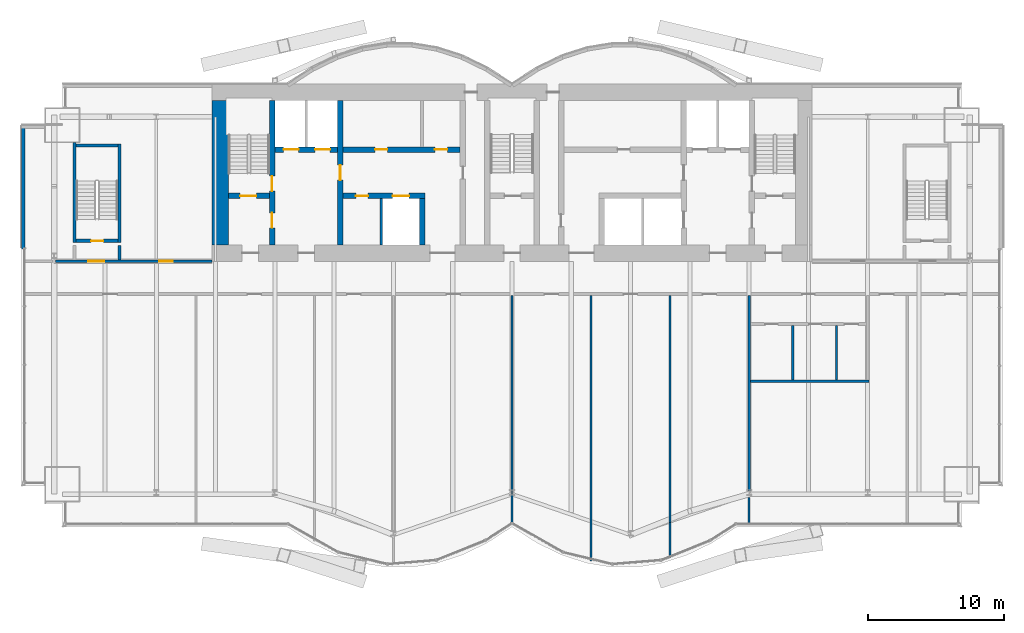
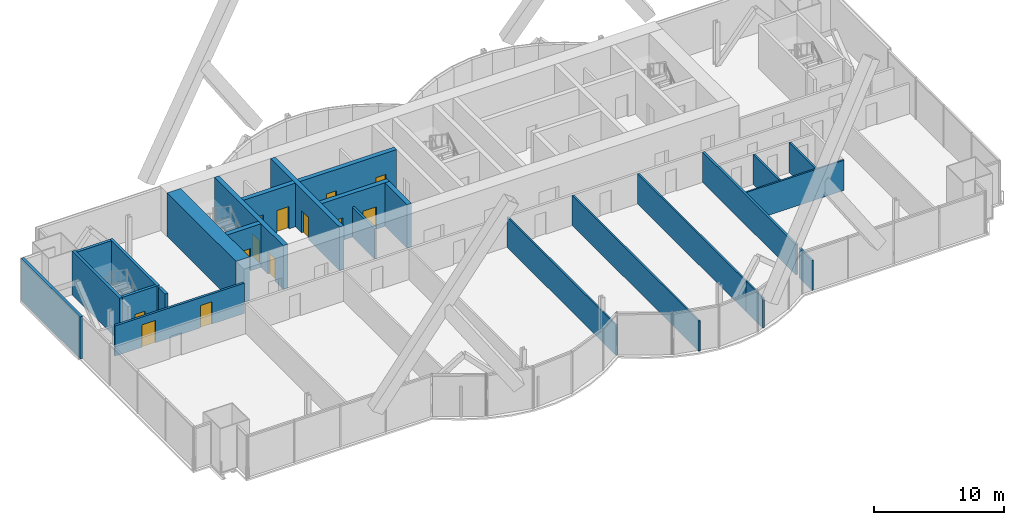
# One storey, part 16 of 22: 24 walls, 13 doors, 13 openings.
"""IFC4 building model written with IfcOpenShell, lengths in metres."""

import ifcopenshell
import ifcopenshell.guid

model = None  # the IFC model being written
_history = None  # IfcOwnerHistory: only IFC2X3 demands one
_inside = {}  # id of a spatial element -> (the spatial element, [elements in it])
_under = {}  # id of a project, library or spatial element -> (it, [spatial elements below it])
_declared = {}  # id of a project -> (the project, [libraries it declares])
_typed = {}  # id of a type object -> (the type object, [elements of that type])
_made_of = {}  # id of a material, layer set ... -> (it, [elements and type objects made of it])


def new_model(schema):
    """Start an empty IFC model of exactly this schema.

    Asked for "IFC4X3", IfcOpenShell would pick the latest addendum, in which some entities
    have other attributes; the version numbers below select the first issue.
    IFC2X3 requires an IfcOwnerHistory on every rooted entity: one is made here for all.
    """
    global model, _history
    if schema == "IFC4X3":
        model = ifcopenshell.file(schema_version=(4, 3, 0, 0))
    else:
        model = ifcopenshell.file(schema=schema)
    _inside.clear()
    _under.clear()
    _declared.clear()
    _typed.clear()
    _made_of.clear()
    _history = None
    if model.schema == "IFC2X3":
        org = make("IfcOrganization", Name="unknown")
        user = make(
            "IfcPersonAndOrganization",
            ThePerson=make("IfcPerson", FamilyName="unknown"),
            TheOrganization=org,
        )
        app = make(
            "IfcApplication",
            ApplicationDeveloper=org,
            Version="unknown",
            ApplicationFullName="unknown",
            ApplicationIdentifier="unknown",
        )
        _history = make(
            "IfcOwnerHistory",
            OwningUser=user,
            OwningApplication=app,
            ChangeAction="ADDED",
            CreationDate=0,
        )
    return model


def make(cls, **values):
    """One entity of the class cls with the attributes given. An attribute that is None is left unset."""
    return model.create_entity(
        cls, **{name: value for name, value in values.items() if value is not None}
    )


def rooted(cls, **values):
    """An entity with a GlobalId (a new one), such as an element, a storey or a relation."""
    return make(cls, GlobalId=ifcopenshell.guid.new(), OwnerHistory=_history, **values)


def si_unit(unit_type, name, prefix=None):
    """IfcSIUnit, for example si_unit("LENGTHUNIT", "METRE", prefix="MILLI")."""
    return make("IfcSIUnit", UnitType=unit_type, Prefix=prefix, Name=name)


def assignment(units):
    """IfcUnitAssignment: the units of a project."""
    return None if units is None else make("IfcUnitAssignment", Units=units)


def point(xyz):
    """IfcCartesianPoint."""
    return None if xyz is None else make("IfcCartesianPoint", Coordinates=xyz)


def direction(xyz):
    """IfcDirection."""
    return None if xyz is None else make("IfcDirection", DirectionRatios=xyz)


def frame(location, z_axis=None, x_axis=None):
    """IfcAxis2Placement3D, a coordinate frame: its origin and axes. An axis left out is left unset."""
    return make(
        "IfcAxis2Placement3D",
        Location=point(location),
        Axis=direction(z_axis),
        RefDirection=direction(x_axis),
    )


def frame_2d(location, x_axis=None):
    """IfcAxis2Placement2D, a coordinate frame in the plane: its origin and x axis."""
    return make(
        "IfcAxis2Placement2D", Location=point(location), RefDirection=direction(x_axis)
    )


def origin():
    """The frame at (0, 0, 0) with its axes left unset."""
    return frame((0.0, 0.0, 0.0))


def place(relative_to, where):
    """IfcLocalPlacement: puts the frame where relative to a parent placement (None: the world)."""
    return make(
        "IfcLocalPlacement", PlacementRelTo=relative_to, RelativePlacement=where
    )


def context(
    kind, dimensions, precision=None, world=None, true_north=None, identifier=None
):
    """IfcGeometricRepresentationContext, for example the 3D "Model" context."""
    return make(
        "IfcGeometricRepresentationContext",
        ContextIdentifier=identifier,
        ContextType=kind,
        CoordinateSpaceDimension=dimensions,
        Precision=precision,
        WorldCoordinateSystem=world,
        TrueNorth=true_north,
    )


def subcontext(parent, identifier, kind, view, scale=None):
    """IfcGeometricRepresentationSubContext, for example "Body" below "Model"."""
    return make(
        "IfcGeometricRepresentationSubContext",
        ContextIdentifier=identifier,
        ContextType=kind,
        ParentContext=parent,
        TargetScale=scale,
        TargetView=view,
    )


def project(units=None, contexts=None):
    """IfcProject with its units and contexts."""
    return rooted(
        "IfcProject",
        Name="project",
        RepresentationContexts=contexts,
        UnitsInContext=assignment(units),
    )


def spatial(cls, under=None, at=None, **own):
    """A site, building, storey or space (cls), placed at a placement, below another one or the project."""
    s = rooted(cls, ObjectPlacement=at, **own)
    if under is not None:
        _under.setdefault(under.id(), (under, []))[1].append(s)
    return s


def profile(cls, at=None, kind="AREA", **sizes):
    """A parametric profile (cls). Its sizes go by their IFC names, for example OverallWidth=200.0."""
    return make(cls, ProfileType=kind, Position=at, **sizes)


def rectangle(**sizes):
    """IfcRectangleProfileDef."""
    return profile("IfcRectangleProfileDef", **sizes)


def extrude(swept, where, along, depth):
    """IfcExtrudedAreaSolid: the profile swept, set in the frame where, extruded along a direction by depth."""
    return make(
        "IfcExtrudedAreaSolid",
        SweptArea=swept,
        Position=where,
        ExtrudedDirection=direction(along),
        Depth=depth,
    )


def shape(context_of_items, identifier, shape_type, items):
    """IfcShapeRepresentation: the items that make up one representation, for example the "Body"."""
    return make(
        "IfcShapeRepresentation",
        ContextOfItems=context_of_items,
        RepresentationIdentifier=identifier,
        RepresentationType=shape_type,
        Items=items,
    )


def material(Name=None, Category=None):
    """IfcMaterial."""
    return make("IfcMaterial", Name=Name, Category=Category)


def layer(
    of_material, thickness, ventilated=None, Name=None, Category=None, Priority=None
):
    """IfcMaterialLayer: one layer of a wall or slab, of a material (None: an air gap)."""
    return make(
        "IfcMaterialLayer",
        Material=of_material,
        LayerThickness=thickness,
        IsVentilated=ventilated,
        Name=Name,
        Category=Category,
        Priority=Priority,
    )


def layer_set(layers, Name=None):
    """IfcMaterialLayerSet."""
    return make("IfcMaterialLayerSet", MaterialLayers=layers, LayerSetName=Name)


def layer_usage(for_layer_set, set_direction, sense, offset, extent=None):
    """IfcMaterialLayerSetUsage: how a layer set lies in its element."""
    return make(
        "IfcMaterialLayerSetUsage",
        ForLayerSet=for_layer_set,
        LayerSetDirection=set_direction,
        DirectionSense=sense,
        OffsetFromReferenceLine=offset,
        ReferenceExtent=extent,
    )


def made_of(thing, what):
    """Note that an element or type object is made of a material, layer set ...; save() writes the relation."""
    if what is not None:
        _made_of.setdefault(what.id(), (what, []))[1].append(thing)
    return thing


def type_object(cls, material=None, **own):
    """A type object (cls), such as IfcWallType, which elements share."""
    return made_of(rooted(cls, **own), material)


def element(
    cls,
    number,
    at=None,
    inside=None,
    cuts=None,
    type_object=None,
    material=None,
    context=None,
    identifier="Body",
    shape_type=None,
    held_by="IfcProductDefinitionShape",
    body=None,
    shapes=None,
    **own,
):
    """One element of the class cls, such as IfcWall. Its Tag is "e" and its number.

    at: its placement. inside: the storey or other place that contains it. cuts: it is an
    opening in that element (IfcRelVoidsElement). A single representation is given by context,
    identifier, shape_type and body (its items); several are given by shapes. held_by: the class
    of the entity that holds the representations. save() writes the other relations.
    """
    e = rooted(cls, Tag="e%d" % number, ObjectPlacement=at, **own)
    if body is not None:
        shapes = [shape(context, identifier, shape_type, body)]
    if shapes is not None:
        e.Representation = make(held_by, Representations=shapes)
    if inside is not None:
        _inside.setdefault(inside.id(), (inside, []))[1].append(e)
    if cuts is not None:
        rooted(
            "IfcRelVoidsElement", RelatingBuildingElement=cuts, RelatedOpeningElement=e
        )
    if type_object is not None:
        _typed.setdefault(type_object.id(), (type_object, []))[1].append(e)
    return made_of(e, material)


def fill(opening, filler):
    """IfcRelFillsElement: the door or window that sits in an opening."""
    return rooted(
        "IfcRelFillsElement",
        RelatingOpeningElement=opening,
        RelatedBuildingElement=filler,
    )


def aggregate(whole, parts):
    """IfcRelAggregates: a whole, such as a stair, and the parts it consists of."""
    return rooted("IfcRelAggregates", RelatingObject=whole, RelatedObjects=parts)


def save(model, path):
    """Write the relations noted so far, then the file.

    IfcRelAggregates (storeys below a building ...), IfcRelContainedInSpatialStructure (elements
    in a storey), IfcRelDefinesByType, IfcRelAssociatesMaterial and IfcRelDeclares: one each for
    every whole, place, type object, material and project.
    """
    for whole, parts in _under.values():
        aggregate(whole, parts)
    for where, things in _inside.values():
        rooted(
            "IfcRelContainedInSpatialStructure",
            RelatedElements=things,
            RelatingStructure=where,
        )
    for kind, things in _typed.values():
        rooted("IfcRelDefinesByType", RelatedObjects=things, RelatingType=kind)
    for what, things in _made_of.values():
        rooted("IfcRelAssociatesMaterial", RelatedObjects=things, RelatingMaterial=what)
    for by, libraries in _declared.values():
        rooted("IfcRelDeclares", RelatingContext=by, RelatedDefinitions=libraries)
    model.write(path)


model = new_model("IFC4")

# Units and contexts
model_context = context("Model", 3, precision=1e-05, world=origin(), true_north=direction((0.0, 1.0)))
body_context = subcontext(model_context, "Body", "Model", "MODEL_VIEW")
ifc_project = project(units=[si_unit("LENGTHUNIT", "METRE"), si_unit("AREAUNIT", "SQUARE_METRE"), si_unit("VOLUMEUNIT", "CUBIC_METRE"), si_unit("PLANEANGLEUNIT", "RADIAN"), si_unit("MASSUNIT", "GRAM", prefix="KILO")], contexts=[model_context])

# Site, building, storey
site_placement = place(None, origin())
site = spatial("IfcSite", under=ifc_project, at=site_placement, CompositionType="ELEMENT")
building_placement = place(site_placement, origin())
building = spatial("IfcBuilding", under=site, at=building_placement, Name="Bicima Exchange Tower", CompositionType="ELEMENT")
storey_placement = place(building_placement, frame((0.0, 0.0, 203.199951171875)))
storey = spatial("IfcBuildingStorey", under=building, at=storey_placement, Name="L45", CompositionType="ELEMENT", Elevation=203.199951171875)

# Wall
ifc_material_1 = material(Name="Gypsum board partition")
ifc_layer_1 = layer(ifc_material_1, 0.199951171875)
ifc_layer_set_1 = layer_set([ifc_layer_1], Name="Gypsum board partition")
wall_type_1 = type_object("IfcWallType", Name="Fire-rated gypsum partition 200 EI120", PredefinedType="PARTITIONING", material=ifc_layer_set_1)
wall_1_placement = place(storey_placement, frame((-9.60009765625, -11.800048828125, 0.0), z_axis=(0.0, 0.0, 1.0), x_axis=(0.0, 1.0, 0.0)))
element("IfcWall", 1, at=wall_1_placement, inside=storey, type_object=wall_type_1, Name="partition wall 11", PredefinedType="PARTITIONING", context=body_context, shape_type="SweptSolid", body=[
    extrude(rectangle(XDim=3.400146484375, YDim=0.199951171875, at=frame_2d((1.7001953125, 0.0))), origin(), (0.0, 0.0, 1.0), 2.84033203125),
])

# Wall, openings, doors
ifc_layer_2 = layer(ifc_material_1, 0.199951171875)
ifc_layer_set_2 = layer_set([ifc_layer_2], Name="Gypsum board partition")
wall_type_2 = type_object("IfcWallType", Name="Fire-rated gypsum partition 200 EI60", PredefinedType="PARTITIONING", material=ifc_layer_set_2)
wall_2_placement = place(storey_placement, frame((-33.47998046875, -13.0, 0.0), z_axis=(0.0, 0.0, 1.0), x_axis=(1.0, 0.0, 0.0)))
wall_2 = element("IfcWall", 2, at=wall_2_placement, inside=storey, type_object=wall_type_2, Name="partition wall 5", PredefinedType="PARTITIONING", context=body_context, shape_type="SweptSolid", body=[
    extrude(rectangle(XDim=11.47998046875, YDim=0.199951171875, at=frame_2d((5.739990234375, 0.0))), origin(), (0.0, 0.0, 1.0), 2.84033203125),
])
opening_1_placement = place(wall_2_placement, frame((2.3798828125, 0.0, 0.0)))
opening_1 = element("IfcOpeningElement", 3, at=opening_1_placement, cuts=wall_2, Name="Opening L45-001", PredefinedType="OPENING", context=body_context, shape_type="SweptSolid", body=[
    extrude(rectangle(XDim=1.199951171875, YDim=2.10009765625, at=frame_2d((0.60009765625, 1.050048828125))), frame((0.0, 0.11181640625, 0.0), z_axis=(0.0, -1.0, 0.0), x_axis=(1.0, 0.0, 0.0)), (0.0, 0.0, 1.0), 0.223876953125),
])
opening_2_placement = place(wall_2_placement, frame((7.580078125, 0.0, 0.0)))
opening_2 = element("IfcOpeningElement", 4, at=opening_2_placement, cuts=wall_2, Name="Opening L45-005", PredefinedType="OPENING", context=body_context, shape_type="SweptSolid", body=[
    extrude(rectangle(XDim=1.0, YDim=2.10009765625, at=frame_2d((0.5, 1.050048828125))), frame((0.0, 0.11181640625, 0.0), z_axis=(0.0, -1.0, 0.0), x_axis=(1.0, 0.0, 0.0)), (0.0, 0.0, 1.0), 0.223876953125),
])
ifc_material_2 = material(Name="Steel fire door leaf", Category="steel")
door_type_1 = type_object("IfcDoorType", Name="Door 1000 swing FD30S", OperationType="SINGLE_SWING_LEFT", PredefinedType="DOOR", material=ifc_material_2)
door_1_placement = place(opening_2_placement, origin())
door_1 = element("IfcDoor", 5, at=door_1_placement, inside=storey, type_object=door_type_1, Name="Door", OperationType="SINGLE_SWING_LEFT", OverallHeight=2.10009765625, OverallWidth=1.0, PredefinedType="DOOR", context=body_context, shape_type="SweptSolid", body=[
    extrude(rectangle(XDim=1.0, YDim=2.10009765625, at=frame_2d((0.5, 1.050048828125))), frame((0.0, 0.02490234375, 0.0), z_axis=(0.0, -1.0, 0.0), x_axis=(1.0, 0.0, 0.0)), (0.0, 0.0, 1.0), 0.050048828125),
])
fill(opening_2, door_1)
door_type_2 = type_object("IfcDoorType", Name="Door 1200 swing FD30S", OperationType="SINGLE_SWING_LEFT", PredefinedType="DOOR", material=ifc_material_2)
door_2_placement = place(opening_1_placement, origin())
door_2 = element("IfcDoor", 6, at=door_2_placement, inside=storey, type_object=door_type_2, Name="Door", OperationType="SINGLE_SWING_LEFT", OverallHeight=2.10009765625, OverallWidth=1.199951171875, PredefinedType="DOOR", context=body_context, shape_type="SweptSolid", body=[
    extrude(rectangle(XDim=1.199951171875, YDim=2.10009765625, at=frame_2d((0.60009765625, 1.050048828125))), frame((0.0, 0.02490234375, 0.0), z_axis=(0.0, -1.0, 0.0), x_axis=(1.0, 0.0, 0.0)), (0.0, 0.0, 1.0), 0.050048828125),
])
fill(opening_1, door_2)

# Walls
wall_3_placement = place(storey_placement, frame((17.39990234375, -29.8466796875, 0.0), z_axis=(0.0, 0.0, 1.0), x_axis=(0.0, 1.0, 0.0)))
element("IfcWall", 7, at=wall_3_placement, inside=storey, type_object=wall_type_2, Name="partition wall 24", PredefinedType="PARTITIONING", context=body_context, shape_type="SweptSolid", body=[
    extrude(rectangle(XDim=14.3466796875, YDim=0.199951171875, at=frame_2d((7.17333984375, 0.0))), origin(), (0.0, 0.0, 1.0), 2.84033203125),
])
ifc_layer_3 = layer(ifc_material_1, 0.14990234375)
ifc_layer_set_3 = layer_set([ifc_layer_3], Name="Gypsum board partition")
wall_type_3 = type_object("IfcWallType", Name="Gypsum partition 150", PredefinedType="PARTITIONING", material=ifc_layer_set_3)
wall_4_placement = place(storey_placement, frame((17.5, -21.800048828125, 0.0), z_axis=(0.0, 0.0, 1.0), x_axis=(1.0, 0.0, 0.0)))
element("IfcWall", 8, at=wall_4_placement, inside=storey, type_object=wall_type_3, Name="partition wall 1", PredefinedType="PARTITIONING", context=body_context, shape_type="SweptSolid", body=[
    extrude(rectangle(XDim=8.699951171875, YDim=0.14990234375, at=frame_2d((4.35009765625, 0.0))), origin(), (0.0, 0.0, 1.0), 2.84033203125),
])
wall_5_placement = place(storey_placement, frame((0.0, -32.22998046875, 0.0), z_axis=(0.0, 0.0, 1.0), x_axis=(0.0, 1.0, 0.0)))
element("IfcWall", 9, at=wall_5_placement, inside=storey, type_object=wall_type_3, Name="partition wall 19", PredefinedType="PARTITIONING", context=body_context, shape_type="SweptSolid", body=[
    extrude(rectangle(XDim=16.72998046875, YDim=0.14990234375, at=frame_2d((8.364990234375, 0.0))), origin(), (0.0, 0.0, 1.0), 2.84033203125),
])
wall_6_placement = place(storey_placement, frame((5.800048828125, -34.989990234375, 0.0), z_axis=(0.0, 0.0, 1.0), x_axis=(0.0, 1.0, 0.0)))
element("IfcWall", 10, at=wall_6_placement, inside=storey, type_object=wall_type_3, Name="partition wall 20", PredefinedType="PARTITIONING", context=body_context, shape_type="SweptSolid", body=[
    extrude(rectangle(XDim=19.489990234375, YDim=0.14990234375, at=frame_2d((9.7451171875, 0.0))), origin(), (0.0, 0.0, 1.0), 2.84033203125),
])
wall_7_placement = place(storey_placement, frame((11.60009765625, -34.739990234375, 0.0), z_axis=(0.0, 0.0, 1.0), x_axis=(0.0, 1.0, 0.0)))
element("IfcWall", 11, at=wall_7_placement, inside=storey, type_object=wall_type_3, Name="partition wall 21", PredefinedType="PARTITIONING", context=body_context, shape_type="SweptSolid", body=[
    extrude(rectangle(XDim=2.580810546875, YDim=0.14990234375, at=frame_2d((1.29052734375, 0.0))), origin(), (0.0, 0.0, 1.0), 2.84033203125),
])
wall_8_placement = place(storey_placement, frame((11.60009765625, -32.1591796875, 0.0), z_axis=(0.0, 0.0, 1.0), x_axis=(0.0, 1.0, 0.0)))
element("IfcWall", 12, at=wall_8_placement, inside=storey, type_object=wall_type_3, Name="partition wall 22", PredefinedType="PARTITIONING", context=body_context, shape_type="SweptSolid", body=[
    extrude(rectangle(XDim=16.6591796875, YDim=0.14990234375, at=frame_2d((8.32958984375, 0.0))), origin(), (0.0, 0.0, 1.0), 2.84033203125),
])
wall_9_placement = place(storey_placement, frame((17.39990234375, -32.27001953125, 0.0), z_axis=(0.0, 0.0, 1.0), x_axis=(0.0, 1.0, 0.0)))
element("IfcWall", 13, at=wall_9_placement, inside=storey, type_object=wall_type_3, Name="partition wall 23", PredefinedType="PARTITIONING", context=body_context, shape_type="SweptSolid", body=[
    extrude(rectangle(XDim=1.94873046875, YDim=0.14990234375, at=frame_2d((0.974365234375, 0.0))), origin(), (0.0, 0.0, 1.0), 2.84033203125),
])
for number, where, z_axis, x_axis, name in (
    (14, (20.60009765625, -21.72509765625, 0.0), (0.0, 0.0, 1.0), (0.0, 1.0, 0.0), "partition wall 25"),
    (15, (23.800048828125, -21.72509765625, 0.0), (0.0, 0.0, 1.0), (0.0, 1.0, 0.0), "partition wall 26"),
):
    element("IfcWall", number, at=place(storey_placement, frame(where, z_axis=z_axis, x_axis=x_axis)), inside=storey, type_object=wall_type_3, Name=name, PredefinedType="PARTITIONING", context=body_context, shape_type="SweptSolid", body=[
        extrude(rectangle(XDim=4.025146484375, YDim=0.14990234375, at=frame_2d((2.0126953125, 0.0))), origin(), (0.0, 0.0, 1.0), 2.84033203125),
    ])
ifc_material_3 = material(Name="Concrete C50/60", Category="concrete")
ifc_layer_4 = layer(ifc_material_3, 1.199951171875)
ifc_layer_set_4 = layer_set([ifc_layer_4], Name="Concrete C50/60")
wall_type_4 = type_object("IfcWallType", Name="RC core wall 1200 C50/60", PredefinedType="SHEAR", material=ifc_layer_set_4)
wall_10_placement = place(storey_placement, frame((-21.39990234375, -11.800048828125, 0.0), z_axis=(0.0, 0.0, 1.0), x_axis=(0.0, 1.0, 0.0)))
element("IfcWall", 16, at=wall_10_placement, inside=storey, type_object=wall_type_4, Name="Core wall west", PredefinedType="SHEAR", context=body_context, shape_type="SweptSolid", body=[
    extrude(rectangle(XDim=10.60009765625, YDim=1.199951171875, at=frame_2d((5.300048828125, 0.0))), origin(), (0.0, 0.0, 1.0), 4.10009765625),
])
ifc_layer_5 = layer(ifc_material_3, 0.25)
ifc_layer_set_5 = layer_set([ifc_layer_5], Name="Concrete C50/60")
wall_type_5 = type_object("IfcWallType", Name="RC core wall 250 C50/60", PredefinedType="SHEAR", material=ifc_layer_set_5)
wall_11_placement = place(storey_placement, frame((-28.800048828125, -12.89990234375, 0.0), z_axis=(0.0, 0.0, 1.0), x_axis=(0.0, 1.0, 0.0)))
element("IfcWall", 17, at=wall_11_placement, inside=storey, type_object=wall_type_5, Name="stair wall 13", PredefinedType="SHEAR", context=body_context, shape_type="SweptSolid", body=[
    extrude(rectangle(XDim=1.0498046875, YDim=0.25, at=frame_2d((0.52490234375, 0.0))), origin(), (0.0, 0.0, 1.0), 4.10009765625),
])

# Wall, opening, door
ifc_layer_6 = layer(ifc_material_3, 0.39990234375)
ifc_layer_set_6 = layer_set([ifc_layer_6], Name="Concrete C50/60")
wall_type_6 = type_object("IfcWallType", Name="RC core wall 400 C50/60", PredefinedType="SHEAR", material=ifc_layer_set_6)
wall_12_placement = place(storey_placement, frame((-20.800048828125, -8.199951171875, 0.0), z_axis=(0.0, 0.0, 1.0), x_axis=(1.0, 0.0, 0.0)))
wall_12 = element("IfcWall", 18, at=wall_12_placement, inside=storey, type_object=wall_type_6, Name="stair wall 1", PredefinedType="SHEAR", context=body_context, shape_type="SweptSolid", body=[
    extrude(rectangle(XDim=3.0, YDim=0.39990234375, at=frame_2d((1.5, 0.0))), origin(), (0.0, 0.0, 1.0), 4.10009765625),
])
opening_3_placement = place(wall_12_placement, frame((0.85009765625, 0.0, 0.0)))
opening_3 = element("IfcOpeningElement", 19, at=opening_3_placement, cuts=wall_12, Name="Opening L45-C01", PredefinedType="OPENING", context=body_context, shape_type="SweptSolid", body=[
    extrude(rectangle(XDim=1.199951171875, YDim=2.10009765625, at=frame_2d((0.60009765625, 1.050048828125))), frame((0.0, 0.2119140625, 0.0), z_axis=(0.0, -1.0, 0.0), x_axis=(1.0, 0.0, 0.0)), (0.0, 0.0, 1.0), 0.423828125),
])
door_type_3 = type_object("IfcDoorType", Name="Door 1200 swing FD60S", OperationType="SINGLE_SWING_LEFT", PredefinedType="DOOR", material=ifc_material_2)
door_3_placement = place(opening_3_placement, origin())
door_3 = element("IfcDoor", 20, at=door_3_placement, inside=storey, type_object=door_type_3, Name="Core door", OperationType="SINGLE_SWING_LEFT", OverallHeight=2.10009765625, OverallWidth=1.199951171875, PredefinedType="DOOR", context=body_context, shape_type="SweptSolid", body=[
    extrude(rectangle(XDim=1.199951171875, YDim=2.10009765625, at=frame_2d((0.60009765625, 1.050048828125))), frame((0.0, 0.02490234375, 0.0), z_axis=(0.0, -1.0, 0.0), x_axis=(1.0, 0.0, 0.0)), (0.0, 0.0, 1.0), 0.050048828125),
])
fill(opening_3, door_3)

# Wall, openings, doors
wall_13_placement = place(storey_placement, frame((-12.39990234375, -8.199951171875, 0.0), z_axis=(0.0, 0.0, 1.0), x_axis=(1.0, 0.0, 0.0)))
wall_13 = element("IfcWall", 21, at=wall_13_placement, inside=storey, type_object=wall_type_6, Name="shear wall 2", PredefinedType="SHEAR", context=body_context, shape_type="SweptSolid", body=[
    extrude(rectangle(XDim=6.0, YDim=0.39990234375, at=frame_2d((3.0, 0.0))), origin(), (0.0, 0.0, 1.0), 4.10009765625),
])
opening_4_placement = place(wall_13_placement, frame((3.64990234375, 0.0, 0.0)))
opening_4 = element("IfcOpeningElement", 22, at=opening_4_placement, cuts=wall_13, Name="Opening LD-MB1-L45", PredefinedType="OPENING", context=body_context, shape_type="SweptSolid", body=[
    extrude(rectangle(XDim=1.199951171875, YDim=2.10009765625, at=frame_2d((0.60009765625, 1.050048828125))), frame((0.0, 0.2119140625, 0.0), z_axis=(0.0, -1.0, 0.0), x_axis=(1.0, 0.0, 0.0)), (0.0, 0.0, 1.0), 0.423828125),
])
opening_5_placement = place(wall_13_placement, frame((0.949951171875, 0.0, 0.0)))
opening_5 = element("IfcOpeningElement", 23, at=opening_5_placement, cuts=wall_13, Name="Opening L45-C15", PredefinedType="OPENING", context=body_context, shape_type="SweptSolid", body=[
    extrude(rectangle(XDim=0.89990234375, YDim=2.10009765625, at=frame_2d((0.449951171875, 1.050048828125))), frame((0.0, 0.2119140625, 0.0), z_axis=(0.0, -1.0, 0.0), x_axis=(1.0, 0.0, 0.0)), (0.0, 0.0, 1.0), 0.423828125),
])
door_type_4 = type_object("IfcDoorType", Name="Door 900 swing FD30S", OperationType="SINGLE_SWING_LEFT", PredefinedType="DOOR", material=ifc_material_2)
door_4_placement = place(opening_5_placement, frame((0.89990234375, 0.0, 0.0), z_axis=(0.0, 0.0, 1.0), x_axis=(-1.0, 0.0, 0.0)))
door_4 = element("IfcDoor", 24, at=door_4_placement, inside=storey, type_object=door_type_4, Name="Core door", OperationType="SINGLE_SWING_RIGHT", OverallHeight=2.10009765625, OverallWidth=0.89990234375, PredefinedType="DOOR", context=body_context, shape_type="SweptSolid", body=[
    extrude(rectangle(XDim=0.89990234375, YDim=2.10009765625, at=frame_2d((0.449951171875, 1.050048828125))), frame((0.0, 0.02490234375, 0.0), z_axis=(0.0, -1.0, 0.0), x_axis=(1.0, 0.0, 0.0)), (0.0, 0.0, 1.0), 0.050048828125),
])
fill(opening_5, door_4)
ifc_material_4 = material(Name="Stainless steel", Category="steel")
door_type_5 = type_object("IfcDoorType", Name="Lift landing door 1200 sliding", OperationType="DOUBLE_DOOR_SLIDING", PredefinedType="DOOR", material=ifc_material_4)
door_5_placement = place(opening_4_placement, origin())
door_5 = element("IfcDoor", 25, at=door_5_placement, inside=storey, type_object=door_type_5, Name="Lift landing door MB1", OperationType="DOUBLE_DOOR_SLIDING", OverallHeight=2.10009765625, OverallWidth=1.199951171875, PredefinedType="DOOR", context=body_context, shape_type="SweptSolid", body=[
    extrude(rectangle(XDim=1.199951171875, YDim=2.10009765625, at=frame_2d((0.60009765625, 1.050048828125))), frame((0.0, 0.02490234375, 0.0), z_axis=(0.0, -1.0, 0.0), x_axis=(1.0, 0.0, 0.0)), (0.0, 0.0, 1.0), 0.050048828125),
])
fill(opening_4, door_5)

wall_14_placement = place(storey_placement, frame((-17.39990234375, -4.800048828125, 0.0), z_axis=(0.0, 0.0, 1.0), x_axis=(1.0, 0.0, 0.0)))
wall_14 = element("IfcWall", 26, at=wall_14_placement, inside=storey, type_object=wall_type_6, Name="shear wall 6", PredefinedType="SHEAR", context=body_context, shape_type="SweptSolid", body=[
    extrude(rectangle(XDim=13.599853515625, YDim=0.39990234375, at=frame_2d((6.7998046875, 0.0))), origin(), (0.0, 0.0, 1.0), 4.10009765625),
])
opening_6_placement = place(wall_14_placement, frame((0.64990234375, 0.0, 0.0)))
opening_6 = element("IfcOpeningElement", 27, at=opening_6_placement, cuts=wall_14, Name="Opening LD-FF1-L45", PredefinedType="OPENING", context=body_context, shape_type="SweptSolid", body=[
    extrude(rectangle(XDim=1.10009765625, YDim=2.10009765625, at=frame_2d((0.550048828125, 1.050048828125))), frame((0.0, 0.2119140625, 0.0), z_axis=(0.0, -1.0, 0.0), x_axis=(1.0, 0.0, 0.0)), (0.0, 0.0, 1.0), 0.423828125),
])
opening_7_placement = place(wall_14_placement, frame((2.949951171875, 0.0, 0.0)))
opening_7 = element("IfcOpeningElement", 28, at=opening_7_placement, cuts=wall_14, Name="Opening LD-FF3-L45", PredefinedType="OPENING", context=body_context, shape_type="SweptSolid", body=[
    extrude(rectangle(XDim=1.10009765625, YDim=2.10009765625, at=frame_2d((0.550048828125, 1.050048828125))), frame((0.0, 0.2119140625, 0.0), z_axis=(0.0, -1.0, 0.0), x_axis=(1.0, 0.0, 0.0)), (0.0, 0.0, 1.0), 0.423828125),
])
opening_8_placement = place(wall_14_placement, frame((7.35009765625, 0.0, 0.0)))
opening_8 = element("IfcOpeningElement", 29, at=opening_8_placement, cuts=wall_14, Name="Opening L45-C12", PredefinedType="OPENING", context=body_context, shape_type="SweptSolid", body=[
    extrude(rectangle(XDim=0.89990234375, YDim=2.10009765625, at=frame_2d((0.449951171875, 1.050048828125))), frame((0.0, 0.2119140625, 0.0), z_axis=(0.0, -1.0, 0.0), x_axis=(1.0, 0.0, 0.0)), (0.0, 0.0, 1.0), 0.423828125),
])
opening_9_placement = place(wall_14_placement, frame((11.75, 0.0, 0.0)))
opening_9 = element("IfcOpeningElement", 30, at=opening_9_placement, cuts=wall_14, Name="Opening L45-C13", PredefinedType="OPENING", context=body_context, shape_type="SweptSolid", body=[
    extrude(rectangle(XDim=0.89990234375, YDim=2.10009765625, at=frame_2d((0.449951171875, 1.050048828125))), frame((0.0, 0.2119140625, 0.0), z_axis=(0.0, -1.0, 0.0), x_axis=(1.0, 0.0, 0.0)), (0.0, 0.0, 1.0), 0.423828125),
])
door_6_placement = place(opening_8_placement, origin())
door_6 = element("IfcDoor", 31, at=door_6_placement, inside=storey, type_object=door_type_4, Name="Core door", OperationType="SINGLE_SWING_RIGHT", OverallHeight=2.10009765625, OverallWidth=0.89990234375, PredefinedType="DOOR", context=body_context, shape_type="SweptSolid", body=[
    extrude(rectangle(XDim=0.89990234375, YDim=2.10009765625, at=frame_2d((0.449951171875, 1.050048828125))), frame((0.0, 0.02490234375, 0.0), z_axis=(0.0, -1.0, 0.0), x_axis=(1.0, 0.0, 0.0)), (0.0, 0.0, 1.0), 0.050048828125),
])
fill(opening_8, door_6)
door_7_placement = place(opening_9_placement, origin())
door_7 = element("IfcDoor", 32, at=door_7_placement, inside=storey, type_object=door_type_4, Name="Core door", OperationType="SINGLE_SWING_LEFT", OverallHeight=2.10009765625, OverallWidth=0.89990234375, PredefinedType="DOOR", context=body_context, shape_type="SweptSolid", body=[
    extrude(rectangle(XDim=0.89990234375, YDim=2.10009765625, at=frame_2d((0.449951171875, 1.050048828125))), frame((0.0, 0.02490234375, 0.0), z_axis=(0.0, -1.0, 0.0), x_axis=(1.0, 0.0, 0.0)), (0.0, 0.0, 1.0), 0.050048828125),
])
fill(opening_9, door_7)
door_type_6 = type_object("IfcDoorType", Name="Lift landing door 1100 sliding", OperationType="DOUBLE_DOOR_SLIDING", PredefinedType="DOOR", material=ifc_material_4)
door_8_placement = place(opening_6_placement, origin())
door_8 = element("IfcDoor", 33, at=door_8_placement, inside=storey, type_object=door_type_6, Name="Lift landing door FF1", OperationType="DOUBLE_DOOR_SLIDING", OverallHeight=2.10009765625, OverallWidth=1.10009765625, PredefinedType="DOOR", context=body_context, shape_type="SweptSolid", body=[
    extrude(rectangle(XDim=1.10009765625, YDim=2.10009765625, at=frame_2d((0.550048828125, 1.050048828125))), frame((0.0, 0.02490234375, 0.0), z_axis=(0.0, -1.0, 0.0), x_axis=(1.0, 0.0, 0.0)), (0.0, 0.0, 1.0), 0.050048828125),
])
fill(opening_6, door_8)
door_9_placement = place(opening_7_placement, origin())
door_9 = element("IfcDoor", 34, at=door_9_placement, inside=storey, type_object=door_type_6, Name="Lift landing door FF3", OperationType="DOUBLE_DOOR_SLIDING", OverallHeight=2.10009765625, OverallWidth=1.10009765625, PredefinedType="DOOR", context=body_context, shape_type="SweptSolid", body=[
    extrude(rectangle(XDim=1.10009765625, YDim=2.10009765625, at=frame_2d((0.550048828125, 1.050048828125))), frame((0.0, 0.02490234375, 0.0), z_axis=(0.0, -1.0, 0.0), x_axis=(1.0, 0.0, 0.0)), (0.0, 0.0, 1.0), 0.050048828125),
])
fill(opening_7, door_9)

wall_15_placement = place(storey_placement, frame((-17.60009765625, -11.800048828125, 0.0), z_axis=(0.0, 0.0, 1.0), x_axis=(0.0, 1.0, 0.0)))
wall_15 = element("IfcWall", 35, at=wall_15_placement, inside=storey, type_object=wall_type_6, Name="stair wall 8", PredefinedType="SHEAR", context=body_context, shape_type="SweptSolid", body=[
    extrude(rectangle(XDim=10.60009765625, YDim=0.39990234375, at=frame_2d((5.300048828125, 0.0))), origin(), (0.0, 0.0, 1.0), 4.10009765625),
])
opening_10_placement = place(wall_15_placement, frame((1.25, 0.0, 0.0)))
opening_10 = element("IfcOpeningElement", 36, at=opening_10_placement, cuts=wall_15, Name="Opening L45-C02", PredefinedType="OPENING", context=body_context, shape_type="SweptSolid", body=[
    extrude(rectangle(XDim=1.10009765625, YDim=2.10009765625, at=frame_2d((0.550048828125, 1.050048828125))), frame((0.0, 0.2119140625, 0.0), z_axis=(0.0, -1.0, 0.0), x_axis=(1.0, 0.0, 0.0)), (0.0, 0.0, 1.0), 0.423828125),
])
opening_11_placement = place(wall_15_placement, frame((3.949951171875, 0.0, 0.0)))
opening_11 = element("IfcOpeningElement", 37, at=opening_11_placement, cuts=wall_15, Name="Opening L45-C06", PredefinedType="OPENING", context=body_context, shape_type="SweptSolid", body=[
    extrude(rectangle(XDim=1.10009765625, YDim=2.10009765625, at=frame_2d((0.550048828125, 1.050048828125))), frame((0.0, 0.2119140625, 0.0), z_axis=(0.0, -1.0, 0.0), x_axis=(1.0, 0.0, 0.0)), (0.0, 0.0, 1.0), 0.423828125),
])
door_type_7 = type_object("IfcDoorType", Name="Door 1100 swing FD60S", OperationType="SINGLE_SWING_LEFT", PredefinedType="DOOR", material=ifc_material_2)
door_10_placement = place(opening_10_placement, frame((1.10009765625, 0.0, 0.0), z_axis=(0.0, 0.0, 1.0), x_axis=(-1.0, 0.0, 0.0)))
door_10 = element("IfcDoor", 38, at=door_10_placement, inside=storey, type_object=door_type_7, Name="Core door", OperationType="SINGLE_SWING_LEFT", OverallHeight=2.10009765625, OverallWidth=1.10009765625, PredefinedType="DOOR", context=body_context, shape_type="SweptSolid", body=[
    extrude(rectangle(XDim=1.10009765625, YDim=2.10009765625, at=frame_2d((0.550048828125, 1.050048828125))), frame((0.0, 0.02490234375, 0.0), z_axis=(0.0, -1.0, 0.0), x_axis=(1.0, 0.0, 0.0)), (0.0, 0.0, 1.0), 0.050048828125),
])
fill(opening_10, door_10)
door_11_placement = place(opening_11_placement, frame((1.10009765625, 0.0, 0.0), z_axis=(0.0, 0.0, 1.0), x_axis=(-1.0, 0.0, 0.0)))
door_11 = element("IfcDoor", 39, at=door_11_placement, inside=storey, type_object=door_type_7, Name="Core door", OperationType="SINGLE_SWING_LEFT", OverallHeight=2.10009765625, OverallWidth=1.10009765625, PredefinedType="DOOR", context=body_context, shape_type="SweptSolid", body=[
    extrude(rectangle(XDim=1.10009765625, YDim=2.10009765625, at=frame_2d((0.550048828125, 1.050048828125))), frame((0.0, 0.02490234375, 0.0), z_axis=(0.0, -1.0, 0.0), x_axis=(1.0, 0.0, 0.0)), (0.0, 0.0, 1.0), 0.050048828125),
])
fill(opening_11, door_11)

# Wall, opening, door
wall_16_placement = place(storey_placement, frame((-12.60009765625, -11.800048828125, 0.0), z_axis=(0.0, 0.0, 1.0), x_axis=(0.0, 1.0, 0.0)))
wall_16 = element("IfcWall", 40, at=wall_16_placement, inside=storey, type_object=wall_type_6, Name="shear wall 10", PredefinedType="SHEAR", context=body_context, shape_type="SweptSolid", body=[
    extrude(rectangle(XDim=10.60009765625, YDim=0.39990234375, at=frame_2d((5.300048828125, 0.0))), origin(), (0.0, 0.0, 1.0), 4.10009765625),
])
opening_12_placement = place(wall_16_placement, frame((4.75, 0.0, 0.0)))
opening_12 = element("IfcOpeningElement", 41, at=opening_12_placement, cuts=wall_16, Name="Opening L45-C07", PredefinedType="OPENING", context=body_context, shape_type="SweptSolid", body=[
    extrude(rectangle(XDim=1.10009765625, YDim=2.10009765625, at=frame_2d((0.550048828125, 1.050048828125))), frame((0.0, 0.2119140625, 0.0), z_axis=(0.0, -1.0, 0.0), x_axis=(1.0, 0.0, 0.0)), (0.0, 0.0, 1.0), 0.423828125),
])
door_12_placement = place(opening_12_placement, origin())
door_12 = element("IfcDoor", 42, at=door_12_placement, inside=storey, type_object=door_type_7, Name="Core door", OperationType="SINGLE_SWING_LEFT", OverallHeight=2.10009765625, OverallWidth=1.10009765625, PredefinedType="DOOR", context=body_context, shape_type="SweptSolid", body=[
    extrude(rectangle(XDim=1.10009765625, YDim=2.10009765625, at=frame_2d((0.550048828125, 1.050048828125))), frame((0.0, 0.02490234375, 0.0), z_axis=(0.0, -1.0, 0.0), x_axis=(1.0, 0.0, 0.0)), (0.0, 0.0, 1.0), 0.050048828125),
])
fill(opening_12, door_12)

# Walls
wall_17_placement = place(storey_placement, frame((-6.60009765625, -11.800048828125, 0.0), z_axis=(0.0, 0.0, 1.0), x_axis=(0.0, 1.0, 0.0)))
element("IfcWall", 43, at=wall_17_placement, inside=storey, type_object=wall_type_6, Name="shear wall 12", PredefinedType="SHEAR", context=body_context, shape_type="SweptSolid", body=[
    extrude(rectangle(XDim=3.400146484375, YDim=0.39990234375, at=frame_2d((1.7001953125, 0.0))), origin(), (0.0, 0.0, 1.0), 4.10009765625),
])
ifc_layer_7 = layer(ifc_material_3, 0.25)
ifc_layer_set_7 = layer_set([ifc_layer_7], Name="Concrete C50/60")
wall_type_7 = type_object("IfcWallType", Name="RC stair enclosure wall 250 C50/60", PredefinedType="SHEAR", material=ifc_layer_set_7)
wall_18_placement = place(storey_placement, frame((-32.10009765625, -11.625, 0.0), z_axis=(0.0, 0.0, 1.0), x_axis=(0.0, 1.0, 0.0)))
element("IfcWall", 44, at=wall_18_placement, inside=storey, type_object=wall_type_7, Name="West end exit stair wall W", PredefinedType="SHEAR", context=body_context, shape_type="SweptSolid", body=[
    extrude(rectangle(XDim=7.324951171875, YDim=0.25, at=frame_2d((3.66259765625, 0.0))), origin(), (0.0, 0.0, 1.0), 4.10009765625),
])
wall_19_placement = place(storey_placement, frame((-28.800048828125, -11.625, 0.0), z_axis=(0.0, 0.0, 1.0), x_axis=(0.0, 1.0, 0.0)))
element("IfcWall", 45, at=wall_19_placement, inside=storey, type_object=wall_type_7, Name="West end exit stair wall E", PredefinedType="SHEAR", context=body_context, shape_type="SweptSolid", body=[
    extrude(rectangle(XDim=7.25, YDim=0.25, at=frame_2d((3.625, 0.0))), origin(), (0.0, 0.0, 1.0), 4.10009765625),
])

# Wall, opening, door
wall_20_placement = place(storey_placement, frame((-31.97509765625, -11.5, 0.0), z_axis=(0.0, 0.0, 1.0), x_axis=(1.0, 0.0, 0.0)))
wall_20 = element("IfcWall", 46, at=wall_20_placement, inside=storey, type_object=wall_type_7, Name="West end exit stair wall S", PredefinedType="SHEAR", context=body_context, shape_type="SweptSolid", body=[
    extrude(rectangle(XDim=3.050048828125, YDim=0.25, at=frame_2d((1.52490234375, 0.0))), origin(), (0.0, 0.0, 1.0), 4.10009765625),
])
opening_13_placement = place(wall_20_placement, frame((1.10009765625, 0.0, 0.0)))
opening_13 = element("IfcOpeningElement", 47, at=opening_13_placement, cuts=wall_20, Name="Opening L45-002", PredefinedType="OPENING", context=body_context, shape_type="SweptSolid", body=[
    extrude(rectangle(XDim=0.89990234375, YDim=2.10009765625, at=frame_2d((0.449951171875, 1.050048828125))), frame((0.0, 0.136962890625, 0.0), z_axis=(0.0, -1.0, 0.0), x_axis=(1.0, 0.0, 0.0)), (0.0, 0.0, 1.0), 0.27392578125),
])
door_type_8 = type_object("IfcDoorType", Name="Door 900 swing FD60S", OperationType="SINGLE_SWING_LEFT", PredefinedType="DOOR", material=ifc_material_2)
door_13_placement = place(opening_13_placement, origin())
door_13 = element("IfcDoor", 48, at=door_13_placement, inside=storey, type_object=door_type_8, Name="Door", OperationType="SINGLE_SWING_LEFT", OverallHeight=2.10009765625, OverallWidth=0.89990234375, PredefinedType="DOOR", context=body_context, shape_type="SweptSolid", body=[
    extrude(rectangle(XDim=0.89990234375, YDim=2.10009765625, at=frame_2d((0.449951171875, 1.050048828125))), frame((0.0, 0.02490234375, 0.0), z_axis=(0.0, -1.0, 0.0), x_axis=(1.0, 0.0, 0.0)), (0.0, 0.0, 1.0), 0.050048828125),
])
fill(opening_13, door_13)

# Walls
wall_21_placement = place(storey_placement, frame((-31.97509765625, -4.5, 0.0), z_axis=(0.0, 0.0, 1.0), x_axis=(1.0, 0.0, 0.0)))
element("IfcWall", 49, at=wall_21_placement, inside=storey, type_object=wall_type_7, Name="West end exit stair wall N", PredefinedType="SHEAR", context=body_context, shape_type="SweptSolid", body=[
    extrude(rectangle(XDim=3.050048828125, YDim=0.25, at=frame_2d((1.52490234375, 0.0))), origin(), (0.0, 0.0, 1.0), 4.10009765625),
])
ifc_material_5 = material(Name="Concrete C40/50", Category="concrete")
ifc_layer_8 = layer(ifc_material_5, 0.25)
ifc_layer_set_8 = layer_set([ifc_layer_8], Name="Concrete C40/50")
ifc_layer_usage = layer_usage(ifc_layer_set_8, "AXIS2", "POSITIVE", -0.125)
wall_type_8 = type_object("IfcWallType", Name="Rear backup wall 250", PredefinedType="STANDARD", material=ifc_layer_set_8)
wall_22_placement = place(storey_placement, frame((-35.875, -3.0, 0.0), z_axis=(0.0, 0.0, 1.0), x_axis=(0.0, -1.0, 0.0)))
element("IfcWall", 50, at=wall_22_placement, inside=storey, type_object=wall_type_8, material=ifc_layer_usage, Name="Rear backup wall L45 23", PredefinedType="STANDARD", context=body_context, shape_type="SweptSolid", body=[
    extrude(rectangle(XDim=9.090087890625, YDim=0.25, at=frame_2d((4.544921875, 0.0))), origin(), (0.0, 0.0, 1.0), 3.949951171875),
])

save(model, "model.ifc")
